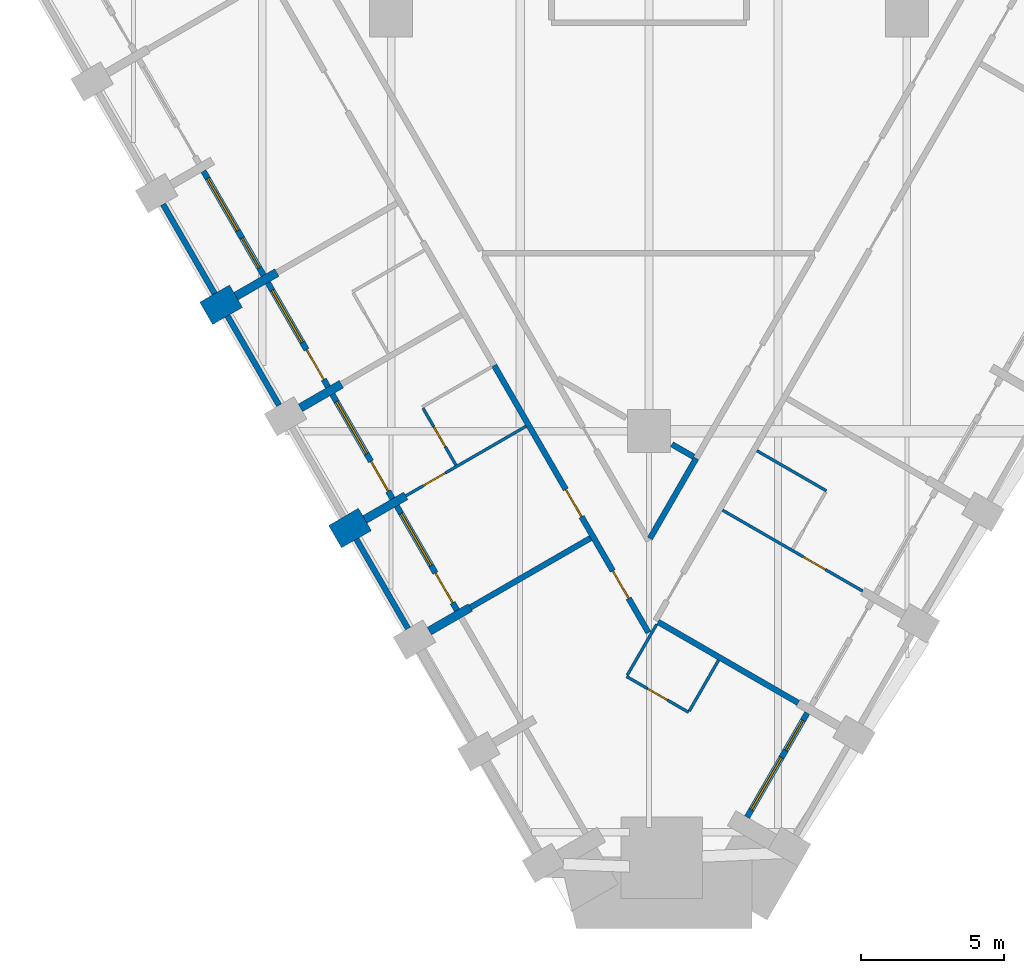
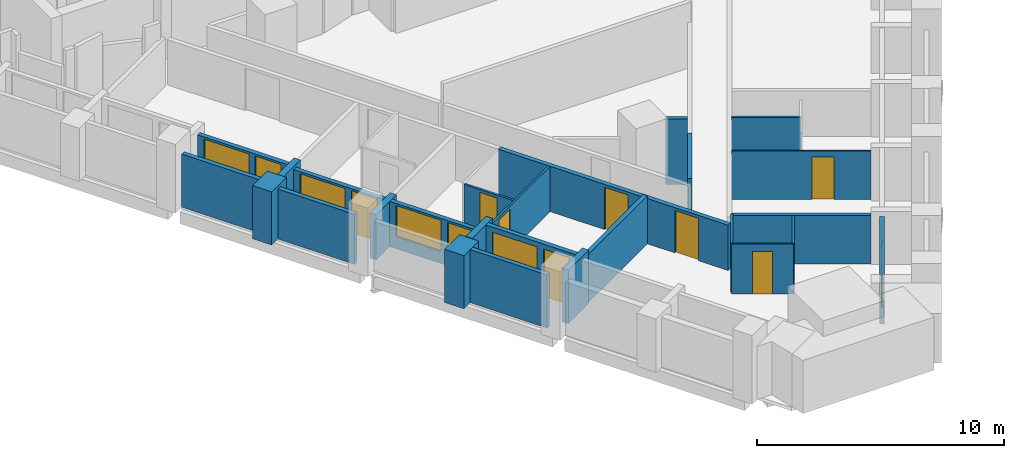
# One storey, part 3 of 11: 26 walls, 11 doors, 5 windows, 16 openings.
"""IFC4 building model written with IfcOpenShell, lengths in metres."""

from ifc_helpers import new_model, si_unit, direction, frame, frame_2d, origin, place, context, subcontext, project, spatial, rectangle, extrude, material, layer, layer_set, type_object, element, fill, save


model = new_model("IFC4")

# Units and contexts
model_context = context("Model", 3, precision=1e-05, world=origin(), true_north=direction((0.0, 1.0)))
body_context = subcontext(model_context, "Body", "Model", "MODEL_VIEW")
ifc_project = project(units=[si_unit("LENGTHUNIT", "METRE"), si_unit("AREAUNIT", "SQUARE_METRE"), si_unit("VOLUMEUNIT", "CUBIC_METRE"), si_unit("PLANEANGLEUNIT", "RADIAN"), si_unit("MASSUNIT", "GRAM", prefix="KILO")], contexts=[model_context])

# Site, building, storey
site_placement = place(None, origin())
site = spatial("IfcSite", under=ifc_project, at=site_placement, CompositionType="ELEMENT")
building_placement = place(site_placement, origin())
building = spatial("IfcBuilding", under=site, at=building_placement, Name="Calabash Gate Tower", CompositionType="ELEMENT")
storey_placement = place(building_placement, frame((0.0, 0.0, 122.39990234375)))
storey = spatial("IfcBuildingStorey", under=building, at=storey_placement, Name="L28", CompositionType="ELEMENT", Elevation=122.39990234375)

# Walls
ifc_material_1 = material(Name="Terracotta brick masonry, exposed face", Category="masonry")
ifc_layer_1 = layer(ifc_material_1, 1.199951171875)
ifc_layer_set_1 = layer_set([ifc_layer_1], Name="Brick end wall 1200")
wall_type_1 = type_object("IfcWallType", Name="Brick end wall 1200", PredefinedType="SOLIDWALL", material=ifc_layer_set_1)
for number, where, z_axis, x_axis, name in (
    (1, (-15.457763671875, -7.89111328125, 0.0), (0.0, 0.0, 1.0), (0.866043267704, 0.499969057507, 0.0), "Brick pier S08 SW0.5"),
    (2, (-10.957763671875, -15.685302734375, 0.0), (0.0, 0.0, 1.0), (0.866043267704, 0.499969057507, 0.0), "Brick pier S08 SW0.7"),
):
    element("IfcWall", number, at=place(storey_placement, frame(where, z_axis=z_axis, x_axis=x_axis)), inside=storey, type_object=wall_type_1, Name=name, PredefinedType="SOLIDWALL", context=body_context, shape_type="SweptSolid", body=[
        extrude(rectangle(XDim=1.19970703125, YDim=0.89990234375, at=frame_2d((0.599853515625, 0.0))), origin(), (0.0, 0.0, 1.0), 2.630126953125),
    ])
ifc_material_2 = material(Name="Terracotta brick masonry, exposed face", Category="masonry")
ifc_layer_2 = layer(ifc_material_2, 0.300048828125)
ifc_layer_set_2 = layer_set([ifc_layer_2], Name="Brick loggia cheek wall 300")
wall_type_2 = type_object("IfcWallType", Name="Brick loggia cheek wall 300", PredefinedType="SOLIDWALL", material=ifc_layer_set_2)
wall_1_placement = place(storey_placement, frame((-14.418701171875, -7.291259765625, 0.0), z_axis=(0.0, 0.0, 1.0), x_axis=(0.865976140824, 0.500085316245, 0.0)))
element("IfcWall", 3, at=wall_1_placement, inside=storey, type_object=wall_type_2, Name="Loggia cheek S08 SW0.5", PredefinedType="SOLIDWALL", context=body_context, shape_type="SweptSolid", body=[
    extrude(rectangle(XDim=1.650146484375, YDim=0.300048828125, at=frame_2d((0.8251953125, 0.0))), origin(), (0.0, 0.0, 1.0), 2.38427734375),
])
wall_2_placement = place(storey_placement, frame((-12.168212890625, -11.188232421875, 0.0), z_axis=(0.0, 0.0, 1.0), x_axis=(0.865966208357, 0.500102515474, 0.0)))
element("IfcWall", 4, at=wall_2_placement, inside=storey, type_object=wall_type_2, Name="Loggia cheek S08 SW0.6", PredefinedType="SOLIDWALL", context=body_context, shape_type="SweptSolid", body=[
    extrude(rectangle(XDim=1.649658203125, YDim=0.300048828125, at=frame_2d((0.82470703125, 0.0))), origin(), (0.0, 0.0, 1.0), 2.24169921875),
])
wall_3_placement = place(storey_placement, frame((-9.918701171875, -15.08544921875, 0.0), z_axis=(0.0, 0.0, 1.0), x_axis=(0.866040211805, 0.499974350878, 0.0)))
element("IfcWall", 5, at=wall_3_placement, inside=storey, type_object=wall_type_2, Name="Loggia cheek S08 SW0.7", PredefinedType="SOLIDWALL", context=body_context, shape_type="SweptSolid", body=[
    extrude(rectangle(XDim=1.64990234375, YDim=0.300048828125, at=frame_2d((0.824951171875, 0.0))), origin(), (0.0, 0.0, 1.0), 2.650146484375),
])
wall_4_placement = place(storey_placement, frame((-6.23974609375, -18.157470703125, 0.0), z_axis=(0.0, 0.0, 1.0), x_axis=(-0.866030301974, -0.499991515992, 0.0)))
element("IfcWall", 6, at=wall_4_placement, inside=storey, type_object=wall_type_2, Name="Loggia cheek S08 SW0.8", PredefinedType="SOLIDWALL", context=body_context, shape_type="SweptSolid", body=[
    extrude(rectangle(XDim=1.6494140625, YDim=0.300048828125, at=frame_2d((0.82470703125, 0.0))), origin(), (0.0, 0.0, 1.0), 2.650146484375),
])
ifc_material_3 = material(Name="Gypsum board on steel studs, mineral wool", Category="steel")
ifc_layer_3 = layer(ifc_material_3, 0.10009765625)
ifc_layer_set_3 = layer_set([ifc_layer_3], Name="Partition 100 gypsum board")
wall_type_3 = type_object("IfcWallType", Name="Partition 100 gypsum board", PredefinedType="PARTITIONING", material=ifc_layer_set_3)
wall_5_placement = place(storey_placement, frame((1.4052734375, -21.77197265625, 0.0), z_axis=(0.0, 0.0, 1.0), x_axis=(0.499265284884, 0.866449176415, 0.0)))
element("IfcWall", 7, at=wall_5_placement, inside=storey, type_object=wall_type_3, Name="Partition", PredefinedType="PARTITIONING", context=body_context, shape_type="SweptSolid", body=[
    extrude(rectangle(XDim=2.0498046875, YDim=0.10009765625, at=frame_2d((1.02490234375, 0.0))), origin(), (0.0, 0.0, 1.0), 2.38427734375),
])

# Wall, opening, door
wall_6_placement = place(storey_placement, frame((-0.784912109375, -20.565185546875, 0.0), z_axis=(0.0, 0.0, 1.0), x_axis=(0.866022959057, -0.500004234368, 0.0)))
wall_6 = element("IfcWall", 8, at=wall_6_placement, inside=storey, type_object=wall_type_3, Name="Partition", PredefinedType="PARTITIONING", context=body_context, shape_type="SweptSolid", body=[
    extrude(rectangle(XDim=2.5, YDim=0.10009765625, at=frame_2d((1.25, 0.0))), origin(), (0.0, 0.0, 1.0), 2.4736328125),
])
opening_1_placement = place(wall_6_placement, frame((0.85009765625, 0.0, 0.0)))
opening_1 = element("IfcOpeningElement", 9, at=opening_1_placement, cuts=wall_6, Name="Opening 28-30-015", PredefinedType="OPENING", context=body_context, shape_type="SweptSolid", body=[
    extrude(rectangle(XDim=0.800048828125, YDim=2.10009765625, at=frame_2d((0.39990234375, 1.050048828125))), frame((0.0, 0.06005859375, 0.0), z_axis=(0.0, -1.0, 0.0), x_axis=(1.0, 0.0, 0.0)), (0.0, 0.0, 1.0), 0.1201171875),
])
ifc_material_4 = material(Name="Painted timber door", Category="wood")
door_type_1 = type_object("IfcDoorType", Name="GD5 En-suite door 800x2100", OperationType="NOTDEFINED", PredefinedType="DOOR", material=ifc_material_4)
door_1_placement = place(opening_1_placement, origin())
door_1 = element("IfcDoor", 10, at=door_1_placement, inside=storey, type_object=door_type_1, Name="En-suite door", OperationType="SINGLE_SWING_LEFT", OverallHeight=2.10009765625, OverallWidth=0.800048828125, PredefinedType="DOOR", context=body_context, shape_type="SweptSolid", body=[
    extrude(rectangle(XDim=0.800048828125, YDim=2.10009765625, at=frame_2d((0.39990234375, 1.050048828125))), frame((0.0, 0.02490234375, 0.0), z_axis=(0.0, -1.0, 0.0), x_axis=(1.0, 0.0, 0.0)), (0.0, 0.0, 1.0), 0.050048828125),
])
fill(opening_1, door_1)

# Wall
wall_7_placement = place(storey_placement, frame((-0.759765625, -20.52197265625, 0.0), z_axis=(0.0, 0.0, 1.0), x_axis=(0.500646589026, 0.865651773461, 0.0)))
element("IfcWall", 11, at=wall_7_placement, inside=storey, type_object=wall_type_3, Name="Partition", PredefinedType="PARTITIONING", context=body_context, shape_type="SweptSolid", body=[
    extrude(rectangle(XDim=2.050048828125, YDim=0.10009765625, at=frame_2d((1.02490234375, 0.0))), origin(), (0.0, 0.0, 1.0), 2.4736328125),
])

# Wall, opening, door
wall_8_placement = place(storey_placement, frame((2.566162109375, -14.760498046875, 0.0), z_axis=(0.0, 0.0, 1.0), x_axis=(0.866019355129, -0.500010476433, 0.0)))
wall_8 = element("IfcWall", 12, at=wall_8_placement, inside=storey, type_object=wall_type_3, Name="Partition", PredefinedType="PARTITIONING", context=body_context, shape_type="SweptSolid", body=[
    extrude(rectangle(XDim=5.64990234375, YDim=0.10009765625, at=frame_2d((2.824951171875, 0.0))), origin(), (0.0, 0.0, 1.0), 2.38427734375),
])
opening_2_placement = place(wall_8_placement, frame((3.249755859375, 0.0, 0.0)))
opening_2 = element("IfcOpeningElement", 13, at=opening_2_placement, cuts=wall_8, Name="Opening 28-30-008", PredefinedType="OPENING", context=body_context, shape_type="SweptSolid", body=[
    extrude(rectangle(XDim=0.89990234375, YDim=2.10009765625, at=frame_2d((0.449951171875, 1.050048828125))), frame((0.0, 0.06005859375, 0.0), z_axis=(0.0, -1.0, 0.0), x_axis=(1.0, 0.0, 0.0)), (0.0, 0.0, 1.0), 0.1201171875),
])
ifc_material_5 = material(Name="Painted timber door", Category="wood")
door_type_2 = type_object("IfcDoorType", Name="GD7 Suite room door 900x2100", OperationType="NOTDEFINED", PredefinedType="DOOR", material=ifc_material_5)
door_2_placement = place(opening_2_placement, origin())
door_2 = element("IfcDoor", 14, at=door_2_placement, inside=storey, type_object=door_type_2, Name="Suite room door", OperationType="SINGLE_SWING_RIGHT", OverallHeight=2.10009765625, OverallWidth=0.89990234375, PredefinedType="DOOR", context=body_context, shape_type="SweptSolid", body=[
    extrude(rectangle(XDim=0.89990234375, YDim=2.10009765625, at=frame_2d((0.449951171875, 1.050048828125))), frame((0.0, 0.02490234375, 0.0), z_axis=(0.0, -1.0, 0.0), x_axis=(1.0, 0.0, 0.0)), (0.0, 0.0, 1.0), 0.050048828125),
])
fill(opening_2, door_2)

wall_9_placement = place(storey_placement, frame((-8.48974609375, -14.26025390625, 0.0), z_axis=(0.0, 0.0, 1.0), x_axis=(0.86557903767, 0.500772333047, 0.0)))
wall_9 = element("IfcWall", 15, at=wall_9_placement, inside=storey, type_object=wall_type_3, Name="Partition", PredefinedType="PARTITIONING", context=body_context, shape_type="SweptSolid", body=[
    extrude(rectangle(XDim=4.849853515625, YDim=0.10009765625, at=frame_2d((2.4248046875, 0.0))), origin(), (0.0, 0.0, 1.0), 2.24169921875),
])
opening_3_placement = place(wall_9_placement, frame((0.699951171875, 0.0, 0.0)))
opening_3 = element("IfcOpeningElement", 16, at=opening_3_placement, cuts=wall_9, Name="Opening 28-30-005", PredefinedType="OPENING", context=body_context, shape_type="SweptSolid", body=[
    extrude(rectangle(XDim=0.89990234375, YDim=2.10009765625, at=frame_2d((0.449951171875, 1.050048828125))), frame((0.0, 0.06005859375, 0.0), z_axis=(0.0, -1.0, 0.0), x_axis=(1.0, 0.0, 0.0)), (0.0, 0.0, 1.0), 0.1201171875),
])
door_3_placement = place(opening_3_placement, origin())
door_3 = element("IfcDoor", 17, at=door_3_placement, inside=storey, type_object=door_type_2, Name="Suite room door", OperationType="SINGLE_SWING_LEFT", OverallHeight=2.10009765625, OverallWidth=0.89990234375, PredefinedType="DOOR", context=body_context, shape_type="SweptSolid", body=[
    extrude(rectangle(XDim=0.89990234375, YDim=2.10009765625, at=frame_2d((0.449951171875, 1.050048828125))), frame((0.0, 0.02490234375, 0.0), z_axis=(0.0, -1.0, 0.0), x_axis=(1.0, 0.0, 0.0)), (0.0, 0.0, 1.0), 0.050048828125),
])
fill(opening_3, door_3)

# Wall
wall_10_placement = place(storey_placement, frame((3.764404296875, -12.685302734375, 0.0), z_axis=(0.0, 0.0, 1.0), x_axis=(0.866326367614, -0.499478352661, 0.0)))
element("IfcWall", 18, at=wall_10_placement, inside=storey, type_object=wall_type_3, Name="Partition", PredefinedType="PARTITIONING", context=body_context, shape_type="SweptSolid", body=[
    extrude(rectangle(XDim=2.7998046875, YDim=0.10009765625, at=frame_2d((1.39990234375, 0.0))), origin(), (0.0, 0.0, 1.0), 2.38427734375),
])

# Wall, opening, door
wall_11_placement = place(storey_placement, frame((-7.889404296875, -11.2001953125, 0.0), z_axis=(0.0, 0.0, 1.0), x_axis=(0.500697021662, -0.865622603967, 0.0)))
wall_11 = element("IfcWall", 19, at=wall_11_placement, inside=storey, type_object=wall_type_3, Name="Partition", PredefinedType="PARTITIONING", context=body_context, shape_type="SweptSolid", body=[
    extrude(rectangle(XDim=2.298095703125, YDim=0.10009765625, at=frame_2d((1.14892578125, 0.0))), origin(), (0.0, 0.0, 1.0), 2.24169921875),
])
opening_4_placement = place(wall_11_placement, frame((0.75, 0.0, 0.0)))
opening_4 = element("IfcOpeningElement", 20, at=opening_4_placement, cuts=wall_11, Name="Opening 28-30-006", PredefinedType="OPENING", context=body_context, shape_type="SweptSolid", body=[
    extrude(rectangle(XDim=0.800048828125, YDim=2.10009765625, at=frame_2d((0.39990234375, 1.050048828125))), frame((0.0, 0.06005859375, 0.0), z_axis=(0.0, -1.0, 0.0), x_axis=(1.0, 0.0, 0.0)), (0.0, 0.0, 1.0), 0.1201171875),
])
door_4_placement = place(opening_4_placement, origin())
door_4 = element("IfcDoor", 21, at=door_4_placement, inside=storey, type_object=door_type_1, Name="En-suite door", OperationType="SINGLE_SWING_LEFT", OverallHeight=2.10009765625, OverallWidth=0.800048828125, PredefinedType="DOOR", context=body_context, shape_type="SweptSolid", body=[
    extrude(rectangle(XDim=0.800048828125, YDim=2.10009765625, at=frame_2d((0.39990234375, 1.050048828125))), frame((0.0, 0.02490234375, 0.0), z_axis=(0.0, -1.0, 0.0), x_axis=(1.0, 0.0, 0.0)), (0.0, 0.0, 1.0), 0.050048828125),
])
fill(opening_4, door_4)

# Wall, openings, doors
ifc_material_6 = material(Name="Gypsum board on steel studs, mineral wool", Category="steel")
ifc_layer_4 = layer(ifc_material_6, 0.199951171875)
ifc_layer_set_4 = layer_set([ifc_layer_4], Name="Partition 200 gypsum board EI 60")
wall_type_4 = type_object("IfcWallType", Name="Partition 200 gypsum board EI 60", PredefinedType="PARTITIONING", material=ifc_layer_set_4)
wall_12_placement = place(storey_placement, frame((-5.404541015625, -9.7080078125, 0.0), z_axis=(0.0, 0.0, 1.0), x_axis=(0.500010215181, -0.866019505967, 0.0)))
wall_12 = element("IfcWall", 22, at=wall_12_placement, inside=storey, type_object=wall_type_4, Name="Partition", PredefinedType="PARTITIONING", context=body_context, shape_type="SweptSolid", body=[
    extrude(rectangle(XDim=10.771240234375, YDim=0.199951171875, at=frame_2d((5.3857421875, 0.0))), origin(), (0.0, 0.0, 1.0), 2.24169921875),
])
opening_5_placement = place(wall_12_placement, frame((5.0, 0.0, 0.0)))
opening_5 = element("IfcOpeningElement", 23, at=opening_5_placement, cuts=wall_12, Name="Opening 28-30-004", PredefinedType="OPENING", context=body_context, shape_type="SweptSolid", body=[
    extrude(rectangle(XDim=1.10009765625, YDim=2.10009765625, at=frame_2d((0.550048828125, 1.050048828125))), frame((0.0, 0.10986328125, 0.0), z_axis=(0.0, -1.0, 0.0), x_axis=(1.0, 0.0, 0.0)), (0.0, 0.0, 1.0), 0.219970703125),
])
opening_6_placement = place(wall_12_placement, frame((8.28564453125, 0.0, 0.0)))
opening_6 = element("IfcOpeningElement", 24, at=opening_6_placement, cuts=wall_12, Name="Opening 28-30-024", PredefinedType="OPENING", context=body_context, shape_type="SweptSolid", body=[
    extrude(rectangle(XDim=1.10009765625, YDim=2.10009765625, at=frame_2d((0.550048828125, 1.050048828125))), frame((0.0, 0.10986328125, 0.0), z_axis=(0.0, -1.0, 0.0), x_axis=(1.0, 0.0, 0.0)), (0.0, 0.0, 1.0), 0.219970703125),
])
ifc_material_7 = material(Name="Steel fire door set with fire-resisting glazing", Category="steel")
door_type_3 = type_object("IfcDoorType", Name="GD3 Suite entrance door 1100x2100", OperationType="NOTDEFINED", PredefinedType="DOOR", material=ifc_material_7)
door_5_placement = place(opening_5_placement, origin())
door_5 = element("IfcDoor", 25, at=door_5_placement, inside=storey, type_object=door_type_3, Name="Suite entrance door", OperationType="SINGLE_SWING_LEFT", OverallHeight=2.10009765625, OverallWidth=1.10009765625, PredefinedType="DOOR", context=body_context, shape_type="SweptSolid", body=[
    extrude(rectangle(XDim=1.10009765625, YDim=2.10009765625, at=frame_2d((0.550048828125, 1.050048828125))), frame((0.0, 0.02490234375, 0.0), z_axis=(0.0, -1.0, 0.0), x_axis=(1.0, 0.0, 0.0)), (0.0, 0.0, 1.0), 0.050048828125),
])
fill(opening_5, door_5)
door_6_placement = place(opening_6_placement, origin())
door_6 = element("IfcDoor", 26, at=door_6_placement, inside=storey, type_object=door_type_3, Name="Suite entrance door", OperationType="SINGLE_SWING_LEFT", OverallHeight=2.10009765625, OverallWidth=1.10009765625, PredefinedType="DOOR", context=body_context, shape_type="SweptSolid", body=[
    extrude(rectangle(XDim=1.10009765625, YDim=2.10009765625, at=frame_2d((0.550048828125, 1.050048828125))), frame((0.0, 0.02490234375, 0.0), z_axis=(0.0, -1.0, 0.0), x_axis=(1.0, 0.0, 0.0)), (0.0, 0.0, 1.0), 0.050048828125),
])
fill(opening_6, door_6)

# Walls
wall_13_placement = place(storey_placement, frame((0.314453125, -18.661376953125, 0.0), z_axis=(0.0, 0.0, 1.0), x_axis=(0.866027263711, -0.4999967785, 0.0)))
element("IfcWall", 27, at=wall_13_placement, inside=storey, type_object=wall_type_4, Name="Partition", PredefinedType="PARTITIONING", context=body_context, shape_type="SweptSolid", body=[
    extrude(rectangle(XDim=5.6494140625, YDim=0.199951171875, at=frame_2d((2.82470703125, 0.0))), origin(), (0.0, 0.0, 1.0), 2.38427734375),
])
wall_14_placement = place(storey_placement, frame((-6.239501953125, -18.157958984375, 0.0), z_axis=(0.0, 0.0, 1.0), x_axis=(0.866175528751, 0.499739885733, 0.0)))
element("IfcWall", 28, at=wall_14_placement, inside=storey, type_object=wall_type_4, Name="Partition", PredefinedType="PARTITIONING", context=body_context, shape_type="SweptSolid", body=[
    extrude(rectangle(XDim=4.849609375, YDim=0.199951171875, at=frame_2d((2.4248046875, 0.0))), origin(), (0.0, 0.0, 1.0), 2.38427734375),
])
wall_15_placement = place(storey_placement, frame((0.03271484375, -15.747802734375, 0.0), z_axis=(0.0, 0.0, 1.0), x_axis=(0.50002566634, 0.866010584809, 0.0)))
element("IfcWall", 29, at=wall_15_placement, inside=storey, type_object=wall_type_4, Name="Partition", PredefinedType="PARTITIONING", context=body_context, shape_type="SweptSolid", body=[
    extrude(rectangle(XDim=3.229248046875, YDim=0.199951171875, at=frame_2d((1.61474609375, 0.0))), origin(), (0.0, 0.0, 1.0), 2.4736328125),
])
wall_16_placement = place(storey_placement, frame((0.800048828125, -12.461669921875, 0.0), z_axis=(0.0, 0.0, 1.0), x_axis=(0.866903294585, -0.498476356347, 0.0)))
element("IfcWall", 30, at=wall_16_placement, inside=storey, type_object=wall_type_4, Name="Partition", PredefinedType="PARTITIONING", context=body_context, shape_type="SweptSolid", body=[
    extrude(rectangle(XDim=0.876708984375, YDim=0.199951171875, at=frame_2d((0.4384765625, 0.0))), origin(), (0.0, 0.0, 1.0), 3.22998046875),
])
ifc_material_8 = material(Name="Terracotta brick masonry, perforated", Category="masonry")
ifc_layer_5 = layer(ifc_material_8, 0.199951171875)
ifc_layer_set_5 = layer_set([ifc_layer_5], Name="Terracotta jaali screen B")
wall_type_5 = type_object("IfcWallType", Name="Terracotta jaali screen B", PredefinedType="SOLIDWALL", material=ifc_layer_set_5)
wall_17_placement = place(storey_placement, frame((-16.963134765625, -4.083740234375, 0.0), z_axis=(0.0, 0.0, 1.0), x_axis=(0.500012057535, -0.866018442252, 0.0)))
element("IfcWall", 31, at=wall_17_placement, inside=storey, type_object=wall_type_5, Name="SCREEN B S08 SW0.5", PredefinedType="SOLIDWALL", context=body_context, shape_type="SweptSolid", body=[
    extrude(rectangle(XDim=3.60009765625, YDim=0.199951171875, at=frame_2d((1.800048828125, 0.0))), origin(), (0.0, 0.0, 1.0), 2.630126953125),
])
wall_18_placement = place(storey_placement, frame((-14.713134765625, -7.98095703125, 0.0), z_axis=(0.0, 0.0, 1.0), x_axis=(0.500012057535, -0.866018442252, 0.0)))
element("IfcWall", 32, at=wall_18_placement, inside=storey, type_object=wall_type_5, Name="SCREEN B S08 SW0.6", PredefinedType="SOLIDWALL", context=body_context, shape_type="SweptSolid", body=[
    extrude(rectangle(XDim=3.60009765625, YDim=0.199951171875, at=frame_2d((1.800048828125, 0.0))), origin(), (0.0, 0.0, 1.0), 2.4736328125),
])
wall_19_placement = place(storey_placement, frame((-10.213134765625, -15.775146484375, 0.0), z_axis=(0.0, 0.0, 1.0), x_axis=(0.500012057535, -0.866018442252, 0.0)))
element("IfcWall", 33, at=wall_19_placement, inside=storey, type_object=wall_type_5, Name="SCREEN B S08 SW0.8", PredefinedType="SOLIDWALL", context=body_context, shape_type="SweptSolid", body=[
    extrude(rectangle(XDim=3.60009765625, YDim=0.199951171875, at=frame_2d((1.800048828125, 0.0))), origin(), (0.0, 0.0, 1.0), 2.630126953125),
])

# Wall, openings, door, window
ifc_material_9 = material(Name="Aluminium framed window wall with insulated spandrel", Category="aluminium")
ifc_layer_6 = layer(ifc_material_9, 0.199951171875)
ifc_layer_set_6 = layer_set([ifc_layer_6], Name="Window wall 200")
wall_type_6 = type_object("IfcWallType", Name="Window wall 200", PredefinedType="ELEMENTEDWALL", material=ifc_layer_set_6)
wall_20_placement = place(storey_placement, frame((-15.554443359375, -2.923828125, 0.0), z_axis=(0.0, 0.0, 1.0), x_axis=(0.500002543286, -0.866023935413, 0.0)))
wall_20 = element("IfcWall", 34, at=wall_20_placement, inside=storey, type_object=wall_type_6, Name="Window wall S08 SW0.5", PredefinedType="ELEMENTEDWALL", context=body_context, shape_type="SweptSolid", body=[
    extrude(rectangle(XDim=4.2001953125, YDim=0.199951171875, at=frame_2d((2.10009765625, 0.0))), origin(), (0.0, 0.0, 1.0), 2.38427734375),
])
opening_7_placement = place(wall_20_placement, frame((0.300048828125, 0.0, 0.60009765625)))
opening_7 = element("IfcOpeningElement", 35, at=opening_7_placement, cuts=wall_20, Name="Opening HW1L-1680", PredefinedType="OPENING", context=body_context, shape_type="SweptSolid", body=[
    extrude(rectangle(XDim=2.10009765625, YDim=1.679931640625, at=frame_2d((1.050048828125, 0.83984375))), frame((0.0, 0.10986328125, 0.0), z_axis=(0.0, -1.0, 0.0), x_axis=(1.0, 0.0, 0.0)), (0.0, 0.0, 1.0), 0.219970703125),
])
opening_8_placement = place(wall_20_placement, frame((2.699951171875, 0.0, 0.0)))
opening_8 = element("IfcOpeningElement", 36, at=opening_8_placement, cuts=wall_20, Name="Opening H8-030", PredefinedType="OPENING", context=body_context, shape_type="SweptSolid", body=[
    extrude(rectangle(XDim=1.199951171875, YDim=2.280029296875, at=frame_2d((0.60009765625, 1.14013671875))), frame((0.0, 0.10986328125, 0.0), z_axis=(0.0, -1.0, 0.0), x_axis=(1.0, 0.0, 0.0)), (0.0, 0.0, 1.0), 0.219970703125),
])
ifc_material_10 = material(Name="Anodised aluminium frame, bronze finish, impact-rated laminated clear glazing", Category="aluminium")
door_type_4 = type_object("IfcDoorType", Name="Loggia door DH1L-2280 1200x2280", OperationType="SLIDING_TO_LEFT", PredefinedType="DOOR", material=ifc_material_10)
door_7_placement = place(opening_8_placement, origin())
door_7 = element("IfcDoor", 37, at=door_7_placement, inside=storey, type_object=door_type_4, Name="Loggia door S08 SW0.5", OperationType="SINGLE_SWING_LEFT", OverallHeight=2.280029296875, OverallWidth=1.199951171875, PredefinedType="DOOR", context=body_context, shape_type="SweptSolid", body=[
    extrude(rectangle(XDim=1.199951171875, YDim=2.280029296875, at=frame_2d((0.60009765625, 1.14013671875))), frame((0.0, 0.02490234375, 0.0), z_axis=(0.0, -1.0, 0.0), x_axis=(1.0, 0.0, 0.0)), (0.0, 0.0, 1.0), 0.050048828125),
])
fill(opening_8, door_7)
ifc_material_11 = material(Name="Anodised aluminium frame, bronze finish, impact-rated laminated clear glazing", Category="aluminium")
window_type_1 = type_object("IfcWindowType", Name="Window HW1L 2100x1680", PartitioningType="DOUBLE_PANEL_VERTICAL", PredefinedType="WINDOW", material=ifc_material_11)
window_1_placement = place(opening_7_placement, origin())
window_1 = element("IfcWindow", 38, at=window_1_placement, inside=storey, type_object=window_type_1, Name="Window HW1 S08 SW0.5", OverallHeight=1.679931640625, OverallWidth=2.10009765625, PartitioningType="SINGLE_PANEL", PredefinedType="WINDOW", context=body_context, shape_type="SweptSolid", body=[
    extrude(rectangle(XDim=2.10009765625, YDim=1.679931640625, at=frame_2d((1.050048828125, 0.83984375))), frame((0.0, 0.030029296875, 0.0), z_axis=(0.0, -1.0, 0.0), x_axis=(1.0, 0.0, 0.0)), (0.0, 0.0, 1.0), 0.06005859375),
])
fill(opening_7, window_1)

wall_21_placement = place(storey_placement, frame((-13.304443359375, -6.821044921875, 0.0), z_axis=(0.0, 0.0, 1.0), x_axis=(0.500027713859, -0.866009402589, 0.0)))
wall_21 = element("IfcWall", 39, at=wall_21_placement, inside=storey, type_object=wall_type_6, Name="Window wall S08 SW0.6", PredefinedType="ELEMENTEDWALL", context=body_context, shape_type="SweptSolid", body=[
    extrude(rectangle(XDim=4.199951171875, YDim=0.199951171875, at=frame_2d((2.10009765625, 0.0))), origin(), (0.0, 0.0, 1.0), 2.24169921875),
])
opening_9_placement = place(wall_21_placement, frame((0.300048828125, 0.0, 0.60009765625)))
opening_9 = element("IfcOpeningElement", 40, at=opening_9_placement, cuts=wall_21, Name="Opening HW1L-1540", PredefinedType="OPENING", context=body_context, shape_type="SweptSolid", body=[
    extrude(rectangle(XDim=2.10009765625, YDim=1.5400390625, at=frame_2d((1.050048828125, 0.77001953125))), frame((0.0, 0.10986328125, 0.0), z_axis=(0.0, -1.0, 0.0), x_axis=(1.0, 0.0, 0.0)), (0.0, 0.0, 1.0), 0.219970703125),
])
opening_10_placement = place(wall_21_placement, frame((2.699951171875, 0.0, 0.0)))
opening_10 = element("IfcOpeningElement", 41, at=opening_10_placement, cuts=wall_21, Name="Opening H8-031", PredefinedType="OPENING", context=body_context, shape_type="SweptSolid", body=[
    extrude(rectangle(XDim=1.199951171875, YDim=2.139892578125, at=frame_2d((0.60009765625, 1.06982421875))), frame((0.0, 0.10986328125, 0.0), z_axis=(0.0, -1.0, 0.0), x_axis=(1.0, 0.0, 0.0)), (0.0, 0.0, 1.0), 0.219970703125),
])
ifc_material_12 = material(Name="Anodised aluminium frame, bronze finish, impact-rated laminated clear glazing", Category="aluminium")
door_type_5 = type_object("IfcDoorType", Name="Loggia door DH1L-2140 1200x2140", OperationType="SLIDING_TO_LEFT", PredefinedType="DOOR", material=ifc_material_12)
door_8_placement = place(opening_10_placement, origin())
door_8 = element("IfcDoor", 42, at=door_8_placement, inside=storey, type_object=door_type_5, Name="Loggia door S08 SW0.6", OperationType="SINGLE_SWING_LEFT", OverallHeight=2.139892578125, OverallWidth=1.199951171875, PredefinedType="DOOR", context=body_context, shape_type="SweptSolid", body=[
    extrude(rectangle(XDim=1.199951171875, YDim=2.139892578125, at=frame_2d((0.60009765625, 1.06982421875))), frame((0.0, 0.02490234375, 0.0), z_axis=(0.0, -1.0, 0.0), x_axis=(1.0, 0.0, 0.0)), (0.0, 0.0, 1.0), 0.050048828125),
])
fill(opening_10, door_8)
ifc_material_13 = material(Name="Anodised aluminium frame, bronze finish, impact-rated laminated clear glazing", Category="aluminium")
window_type_2 = type_object("IfcWindowType", Name="Window HW1L 2100x1540", PartitioningType="DOUBLE_PANEL_VERTICAL", PredefinedType="WINDOW", material=ifc_material_13)
window_2_placement = place(opening_9_placement, origin())
window_2 = element("IfcWindow", 43, at=window_2_placement, inside=storey, type_object=window_type_2, Name="Window HW1 S08 SW0.6", OverallHeight=1.5400390625, OverallWidth=2.10009765625, PartitioningType="SINGLE_PANEL", PredefinedType="WINDOW", context=body_context, shape_type="SweptSolid", body=[
    extrude(rectangle(XDim=2.10009765625, YDim=1.5400390625, at=frame_2d((1.050048828125, 0.77001953125))), frame((0.0, 0.030029296875, 0.0), z_axis=(0.0, -1.0, 0.0), x_axis=(1.0, 0.0, 0.0)), (0.0, 0.0, 1.0), 0.06005859375),
])
fill(opening_9, window_2)

wall_22_placement = place(storey_placement, frame((-11.054443359375, -10.71826171875, 0.0), z_axis=(0.0, 0.0, 1.0), x_axis=(0.500027713859, -0.866009402589, 0.0)))
wall_22 = element("IfcWall", 44, at=wall_22_placement, inside=storey, type_object=wall_type_6, Name="Window wall S08 SW0.7", PredefinedType="ELEMENTEDWALL", context=body_context, shape_type="SweptSolid", body=[
    extrude(rectangle(XDim=4.199951171875, YDim=0.199951171875, at=frame_2d((2.10009765625, 0.0))), origin(), (0.0, 0.0, 1.0), 2.24169921875),
])
opening_11_placement = place(wall_22_placement, frame((0.300048828125, 0.0, 0.60009765625)))
opening_11 = element("IfcOpeningElement", 45, at=opening_11_placement, cuts=wall_22, Name="Opening HW1L-1540", PredefinedType="OPENING", context=body_context, shape_type="SweptSolid", body=[
    extrude(rectangle(XDim=2.10009765625, YDim=1.5400390625, at=frame_2d((1.050048828125, 0.77001953125))), frame((0.0, 0.10986328125, 0.0), z_axis=(0.0, -1.0, 0.0), x_axis=(1.0, 0.0, 0.0)), (0.0, 0.0, 1.0), 0.219970703125),
])
opening_12_placement = place(wall_22_placement, frame((2.699951171875, 0.0, 0.0)))
opening_12 = element("IfcOpeningElement", 46, at=opening_12_placement, cuts=wall_22, Name="Opening H8-032", PredefinedType="OPENING", context=body_context, shape_type="SweptSolid", body=[
    extrude(rectangle(XDim=1.199951171875, YDim=2.139892578125, at=frame_2d((0.60009765625, 1.06982421875))), frame((0.0, 0.10986328125, 0.0), z_axis=(0.0, -1.0, 0.0), x_axis=(1.0, 0.0, 0.0)), (0.0, 0.0, 1.0), 0.219970703125),
])
door_9_placement = place(opening_12_placement, origin())
door_9 = element("IfcDoor", 47, at=door_9_placement, inside=storey, type_object=door_type_5, Name="Loggia door S08 SW0.7", OperationType="SINGLE_SWING_LEFT", OverallHeight=2.139892578125, OverallWidth=1.199951171875, PredefinedType="DOOR", context=body_context, shape_type="SweptSolid", body=[
    extrude(rectangle(XDim=1.199951171875, YDim=2.139892578125, at=frame_2d((0.60009765625, 1.06982421875))), frame((0.0, 0.02490234375, 0.0), z_axis=(0.0, -1.0, 0.0), x_axis=(1.0, 0.0, 0.0)), (0.0, 0.0, 1.0), 0.050048828125),
])
fill(opening_12, door_9)
window_3_placement = place(opening_11_placement, origin())
window_3 = element("IfcWindow", 48, at=window_3_placement, inside=storey, type_object=window_type_2, Name="Window HW1 S08 SW0.7", OverallHeight=1.5400390625, OverallWidth=2.10009765625, PartitioningType="SINGLE_PANEL", PredefinedType="WINDOW", context=body_context, shape_type="SweptSolid", body=[
    extrude(rectangle(XDim=2.10009765625, YDim=1.5400390625, at=frame_2d((1.050048828125, 0.77001953125))), frame((0.0, 0.030029296875, 0.0), z_axis=(0.0, -1.0, 0.0), x_axis=(1.0, 0.0, 0.0)), (0.0, 0.0, 1.0), 0.06005859375),
])
fill(opening_11, window_3)

wall_23_placement = place(storey_placement, frame((-8.804443359375, -14.615234375, 0.0), z_axis=(0.0, 0.0, 1.0), x_axis=(0.500002543286, -0.866023935413, 0.0)))
wall_23 = element("IfcWall", 49, at=wall_23_placement, inside=storey, type_object=wall_type_6, Name="Window wall S08 SW0.8", PredefinedType="ELEMENTEDWALL", context=body_context, shape_type="SweptSolid", body=[
    extrude(rectangle(XDim=4.2001953125, YDim=0.199951171875, at=frame_2d((2.10009765625, 0.0))), origin(), (0.0, 0.0, 1.0), 2.650146484375),
])
opening_13_placement = place(wall_23_placement, frame((0.300048828125, 0.0, 0.60009765625)))
opening_13 = element("IfcOpeningElement", 50, at=opening_13_placement, cuts=wall_23, Name="Opening HW1", PredefinedType="OPENING", context=body_context, shape_type="SweptSolid", body=[
    extrude(rectangle(XDim=2.10009765625, YDim=1.800048828125, at=frame_2d((1.050048828125, 0.89990234375))), frame((0.0, 0.10986328125, 0.0), z_axis=(0.0, -1.0, 0.0), x_axis=(1.0, 0.0, 0.0)), (0.0, 0.0, 1.0), 0.219970703125),
])
opening_14_placement = place(wall_23_placement, frame((2.699951171875, 0.0, 0.0)))
opening_14 = element("IfcOpeningElement", 51, at=opening_14_placement, cuts=wall_23, Name="Opening H8-033", PredefinedType="OPENING", context=body_context, shape_type="SweptSolid", body=[
    extrude(rectangle(XDim=1.199951171875, YDim=2.39990234375, at=frame_2d((0.60009765625, 1.199951171875))), frame((0.0, 0.10986328125, 0.0), z_axis=(0.0, -1.0, 0.0), x_axis=(1.0, 0.0, 0.0)), (0.0, 0.0, 1.0), 0.219970703125),
])
ifc_material_14 = material(Name="Anodised aluminium frame, bronze finish, impact-rated laminated clear glazing", Category="aluminium")
door_type_6 = type_object("IfcDoorType", Name="Loggia door DH1 1200x2400", OperationType="SLIDING_TO_LEFT", PredefinedType="DOOR", material=ifc_material_14)
door_10_placement = place(opening_14_placement, origin())
door_10 = element("IfcDoor", 52, at=door_10_placement, inside=storey, type_object=door_type_6, Name="Loggia door S08 SW0.8", OperationType="SINGLE_SWING_LEFT", OverallHeight=2.39990234375, OverallWidth=1.199951171875, PredefinedType="DOOR", context=body_context, shape_type="SweptSolid", body=[
    extrude(rectangle(XDim=1.199951171875, YDim=2.39990234375, at=frame_2d((0.60009765625, 1.199951171875))), frame((0.0, 0.02490234375, 0.0), z_axis=(0.0, -1.0, 0.0), x_axis=(1.0, 0.0, 0.0)), (0.0, 0.0, 1.0), 0.050048828125),
])
fill(opening_14, door_10)
ifc_material_15 = material(Name="Anodised aluminium frame, bronze finish, impact-rated laminated clear glazing", Category="aluminium")
window_type_3 = type_object("IfcWindowType", Name="Window HW1 2100x1800", PartitioningType="DOUBLE_PANEL_VERTICAL", PredefinedType="WINDOW", material=ifc_material_15)
window_4_placement = place(opening_13_placement, origin())
window_4 = element("IfcWindow", 53, at=window_4_placement, inside=storey, type_object=window_type_3, Name="Window HW1 S08 SW0.8", OverallHeight=1.800048828125, OverallWidth=2.10009765625, PartitioningType="SINGLE_PANEL", PredefinedType="WINDOW", context=body_context, shape_type="SweptSolid", body=[
    extrude(rectangle(XDim=2.10009765625, YDim=1.800048828125, at=frame_2d((1.050048828125, 0.89990234375))), frame((0.0, 0.030029296875, 0.0), z_axis=(0.0, -1.0, 0.0), x_axis=(1.0, 0.0, 0.0)), (0.0, 0.0, 1.0), 0.06005859375),
])
fill(opening_13, window_4)

wall_24_placement = place(storey_placement, frame((3.4228515625, -25.4765625, 0.0), z_axis=(0.0, 0.0, 1.0), x_axis=(0.499958946799, 0.866049104564, 0.0)))
wall_24 = element("IfcWall", 54, at=wall_24_placement, inside=storey, type_object=wall_type_6, Name="Window wall S08 SE2.1", PredefinedType="ELEMENTEDWALL", context=body_context, shape_type="SweptSolid", body=[
    extrude(rectangle(XDim=4.199951171875, YDim=0.199951171875, at=frame_2d((2.10009765625, 0.0))), origin(), (0.0, 0.0, 1.0), 2.38427734375),
])
opening_15_placement = place(wall_24_placement, frame((0.300048828125, 0.0, 0.60009765625)))
opening_15 = element("IfcOpeningElement", 55, at=opening_15_placement, cuts=wall_24, Name="Opening HW1L-1680", PredefinedType="OPENING", context=body_context, shape_type="SweptSolid", body=[
    extrude(rectangle(XDim=2.10009765625, YDim=1.679931640625, at=frame_2d((1.050048828125, 0.83984375))), frame((0.0, 0.10986328125, 0.0), z_axis=(0.0, -1.0, 0.0), x_axis=(1.0, 0.0, 0.0)), (0.0, 0.0, 1.0), 0.219970703125),
])
opening_16_placement = place(wall_24_placement, frame((2.699951171875, 0.0, 0.0)))
opening_16 = element("IfcOpeningElement", 56, at=opening_16_placement, cuts=wall_24, Name="Opening H8-018", PredefinedType="OPENING", context=body_context, shape_type="SweptSolid", body=[
    extrude(rectangle(XDim=1.199951171875, YDim=2.280029296875, at=frame_2d((0.60009765625, 1.14013671875))), frame((0.0, 0.10986328125, 0.0), z_axis=(0.0, -1.0, 0.0), x_axis=(1.0, 0.0, 0.0)), (0.0, 0.0, 1.0), 0.219970703125),
])
door_11_placement = place(opening_16_placement, origin())
door_11 = element("IfcDoor", 57, at=door_11_placement, inside=storey, type_object=door_type_4, Name="Loggia door S08 SE2.1", OperationType="SINGLE_SWING_LEFT", OverallHeight=2.280029296875, OverallWidth=1.199951171875, PredefinedType="DOOR", context=body_context, shape_type="SweptSolid", body=[
    extrude(rectangle(XDim=1.199951171875, YDim=2.280029296875, at=frame_2d((0.60009765625, 1.14013671875))), frame((0.0, 0.02490234375, 0.0), z_axis=(0.0, -1.0, 0.0), x_axis=(1.0, 0.0, 0.0)), (0.0, 0.0, 1.0), 0.050048828125),
])
fill(opening_16, door_11)
window_5_placement = place(opening_15_placement, origin())
window_5 = element("IfcWindow", 58, at=window_5_placement, inside=storey, type_object=window_type_1, Name="Window HW1 S08 SE2.1", OverallHeight=1.679931640625, OverallWidth=2.10009765625, PartitioningType="SINGLE_PANEL", PredefinedType="WINDOW", context=body_context, shape_type="SweptSolid", body=[
    extrude(rectangle(XDim=2.10009765625, YDim=1.679931640625, at=frame_2d((1.050048828125, 0.83984375))), frame((0.0, 0.030029296875, 0.0), z_axis=(0.0, -1.0, 0.0), x_axis=(1.0, 0.0, 0.0)), (0.0, 0.0, 1.0), 0.06005859375),
])
fill(opening_15, window_5)

save(model, "model.ifc")
